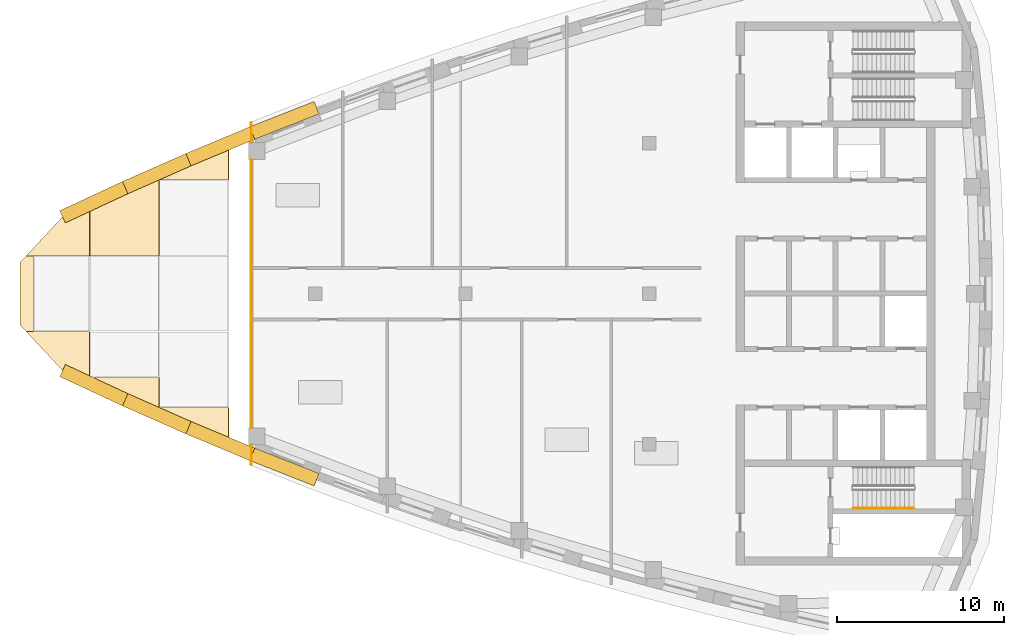
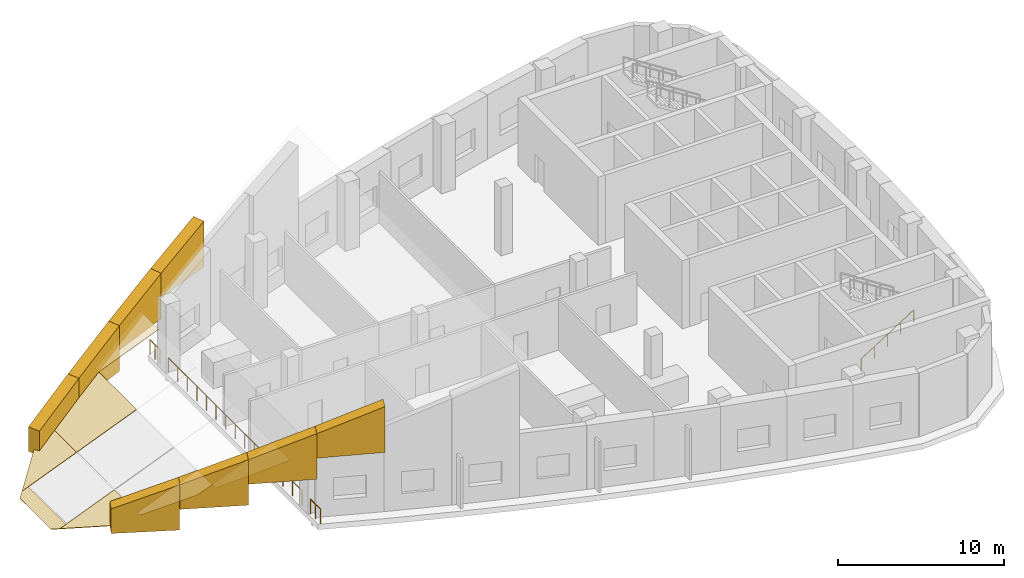
# One storey, part 6 of 8: 15 coverings, 4 railings.
"""IFC4 building model written with IfcOpenShell, lengths in metres."""

from ifc_helpers import new_model, si_unit, direction, frame, origin, origin_2d, place, context, subcontext, project, spatial, polyline, circle, outline, extrude, material, layer, layer_set, type_object, element, save


model = new_model("IFC4")

# Units and contexts
model_context = context("Model", 3, precision=1e-05, world=origin(), true_north=direction((0.0, 1.0)))
body_context = subcontext(model_context, "Body", "Model", "MODEL_VIEW")
ifc_project = project(units=[si_unit("LENGTHUNIT", "METRE"), si_unit("AREAUNIT", "SQUARE_METRE"), si_unit("VOLUMEUNIT", "CUBIC_METRE"), si_unit("PLANEANGLEUNIT", "RADIAN"), si_unit("MASSUNIT", "GRAM", prefix="KILO")], contexts=[model_context])

# Site, building, storey
site_placement = place(None, origin())
site = spatial("IfcSite", under=ifc_project, at=site_placement, CompositionType="ELEMENT")
building_placement = place(site_placement, origin())
building = spatial("IfcBuilding", under=site, at=building_placement, Name="Ostrand Prow Hotel Tower", CompositionType="ELEMENT")
storey_placement = place(building_placement, frame((0.0, 0.0, 327.39990234375)))
storey = spatial("IfcBuildingStorey", under=building, at=storey_placement, Name="C5", CompositionType="ELEMENT", Elevation=327.39990234375)

# Coverings
ifc_material_1 = material(Name="Bronze anodised aluminium cladding", Category="aluminium")
ifc_layer_1 = layer(ifc_material_1, 0.0400390625)
ifc_layer_set_1 = layer_set([ifc_layer_1], Name="Bronze anodised aluminium cladding")
covering_type_1 = type_object("IfcCoveringType", Name="Crown bronze edge capping 40 mm", PredefinedType="CLADDING", material=ifc_layer_set_1)
covering_1_placement = place(storey_placement, frame((9.883056640625, -4.601318359375, 0.392822265625), z_axis=(-0.374644285694, -2.5827367e-05, 0.927168624647), x_axis=(0.851181003063, -0.396489570944, 0.34392865562)))
element("IfcCovering", 1, at=covering_1_placement, inside=storey, type_object=covering_type_1, Name="Crown edge capping 1.4", PredefinedType="CLADDING", context=body_context, shape_type="SweptSolid", body=[
    extrude(outline(polyline([(0.0, 0.0), (1.8965268648875833, -1.3877787807814457e-17), (0.6743400185145534, 2.8298738429039867), (-3.0732742855120927, 1.211326460373939), (0.0, 0.0)])), origin(), (0.0, 0.0, -1.0), 0.0400390625),
])
covering_2_placement = place(storey_placement, frame((7.71240234375, -2.270751953125, -0.484130859375), z_axis=(-0.374549077682, 0.0, 0.927207090357), x_axis=(0.927207090357, 0.0, 0.374549077682)))
element("IfcCovering", 2, at=covering_2_placement, inside=storey, type_object=covering_type_1, Name="Crown edge capping 1.5", PredefinedType="CLADDING", context=body_context, shape_type="SweptSolid", body=[
    extrude(outline(polyline([(0.0, 0.0), (0.4602513776335057, 0.0), (0.4602513776335057, 4.54150390625), (0.0, 4.54150390625), (-0.4047149109176331, 4.138427734375), (-0.4047149109176331, 0.403076171875), (0.0, 0.0)])), origin(), (0.0, 0.0, -1.0), 0.0400390625),
])
covering_3_placement = place(storey_placement, frame((9.883056640625, 4.601318359375, 0.392822265625), z_axis=(-0.374644285694, 2.5827367e-05, 0.927168624647), x_axis=(-0.657091752621, -0.705509399193, -0.265493721749)))
element("IfcCovering", 3, at=covering_3_placement, inside=storey, type_object=covering_type_1, Name="Crown edge capping 1.6", PredefinedType="CLADDING", context=body_context, shape_type="SweptSolid", body=[
    extrude(outline(polyline([(0.0, 0.0), (3.3033810902758276, 2.7755575615628914e-17), (0.41032783980850873, 2.880026300435548), (-1.7644186626845406, 0.6954429753839081), (0.0, 0.0)])), origin(), (0.0, 0.0, -1.0), 0.0400390625),
])
covering_4_placement = place(storey_placement, frame((15.65771484375, -6.81201171875, 2.725830078125), z_axis=(-0.37456990881, -1.7491256e-05, 0.9271986751), x_axis=(-6.551698e-06, 0.999999999847, 1.621787e-05)))
element("IfcCovering", 4, at=covering_4_placement, inside=storey, type_object=covering_type_1, Name="Crown edge capping 2.4", PredefinedType="CLADDING", context=body_context, shape_type="SweptSolid", body=[
    extrude(outline(polyline([(0.0, 0.0), (1.786621093476697, -1.5133269306657641e-21), (1.7866210943740493, 4.487043915392368), (1.4587402350492058, 4.487043915392368), (0.4636230451882351, 2.182613389619216), (1.888768098370016e-09, 1.050299716486059), (0.0, 0.0)])), origin(), (0.0, 0.0, -1.0), 0.0400390625),
])
covering_5_placement = place(storey_placement, frame((13.634033203125, 6.348388671875, 1.908203125), z_axis=(-0.374562588338, 5.412891e-06, 0.927201632542), x_axis=(-0.851226733801, -0.396443466489, -0.343868616685)))
element("IfcCovering", 5, at=covering_5_placement, inside=storey, type_object=covering_type_1, Name="Crown edge capping 2.6", PredefinedType="CLADDING", context=body_context, shape_type="SweptSolid", body=[
    extrude(outline(polyline([(0.0, 0.0), (2.510111206937505, -5.551115123125783e-17), (3.7321559354249625, 2.829935218664083), (-0.38721572667560933, 4.60879446282096), (-2.1875684903850336, 0.4396494444168238), (-1.2233312387707542, 0.023264984125418803), (0.0, 0.0)])), origin(), (0.0, 0.0, -1.0), 0.0400390625),
])
covering_6_placement = place(storey_placement, frame((17.419677734375, -8.02001953125, 3.4375), z_axis=(-0.374572717272, -3.6462251e-05, 0.927197539981), x_axis=(0.864610297761, -0.361187632731, 0.349274286153)))
element("IfcCovering", 6, at=covering_6_placement, inside=storey, type_object=covering_type_1, Name="Crown edge capping 3.3", PredefinedType="CLADDING", context=body_context, shape_type="SweptSolid", body=[
    extrude(outline(polyline([(0.0, 0.0), (2.774051575115734, -2.7755575615628914e-16), (1.9758410156719717, 2.0607734571211833), (-2.2082967455641533, 0.440108688552974), (-2.052922573476227, 0.0389727151274851), (0.0, 0.0)])), origin(), (0.0, 0.0, -1.0), 0.0400390625),
])
covering_7_placement = place(storey_placement, frame((17.419677734375, 8.02001953125, 3.4375), z_axis=(-0.374572717272, 3.6462251e-05, 0.927197539981), x_axis=(-0.858098326688, -0.378821841663, -0.346642862344)))
element("IfcCovering", 7, at=covering_7_placement, inside=storey, type_object=covering_type_1, Name="Crown edge capping 3.7", PredefinedType="CLADDING", context=body_context, shape_type="SweptSolid", body=[
    extrude(outline(polyline([(0.0, 0.0), (2.0532924694774155, -1.6653345369377348e-16), (2.216252451169328, 0.3981146152742881), (-1.9363703636425635, 2.0979048537990495), (-2.773551835989439, 0.05265315262830167), (0.0, 0.0)])), origin(), (0.0, 0.0, -1.0), 0.0400390625),
])

# Railings
ifc_material_2 = material(Name="Stainless steel", Category="steel")
railing_type_1 = type_object("IfcRailingType", Name="Crown deck edge guard 1100", PredefinedType="GUARDRAIL", material=ifc_material_2)
railing_1_placement = place(storey_placement, frame((21.18701171875, -10.243896484375, 0.0)))
element("IfcRailing", 8, at=railing_1_placement, inside=storey, type_object=railing_type_1, Name="Crown deck edge guard C5-1", PredefinedType="GUARDRAIL", context=body_context, shape_type="SweptSolid", body=[
    extrude(circle(Radius=0.02392578125, at=origin_2d()), frame((0.0, 0.0, 1.076171875), z_axis=(0.0, 1.0, 0.0), x_axis=(-1.0, 0.0, 0.0)), (0.0, 0.0, 1.0), 1.203857421875),
    extrude(circle(Radius=0.02099609375, at=origin_2d()), origin(), (0.0, 0.0, 1.0), 1.052001953125),
    extrude(circle(Radius=0.02099609375, at=origin_2d()), frame((0.0, 0.60205078125, 0.0)), (0.0, 0.0, 1.0), 1.052001953125),
    extrude(circle(Radius=0.02099609375, at=origin_2d()), frame((0.0, 1.203857421875, 0.0)), (0.0, 0.0, 1.0), 1.052001953125),
])
railing_2_placement = place(storey_placement, frame((21.18701171875, -8.0400390625, 0.0)))
element("IfcRailing", 9, at=railing_2_placement, inside=storey, type_object=railing_type_1, Name="Crown deck edge guard C5-2", PredefinedType="GUARDRAIL", context=body_context, shape_type="SweptSolid", body=[
    extrude(circle(Radius=0.02392578125, at=origin_2d()), frame((0.0, 0.0, 1.076171875), z_axis=(0.0, 1.0, 0.0), x_axis=(-1.0, 0.0, 0.0)), (0.0, 0.0, 1.0), 16.080078125),
    extrude(circle(Radius=0.02099609375, at=origin_2d()), origin(), (0.0, 0.0, 1.0), 1.052001953125),
    extrude(circle(Radius=0.02099609375, at=origin_2d()), frame((0.0, 1.148681640625, 0.0)), (0.0, 0.0, 1.0), 1.052001953125),
    extrude(circle(Radius=0.02099609375, at=origin_2d()), frame((0.0, 2.297119140625, 0.0)), (0.0, 0.0, 1.0), 1.052001953125),
    extrude(circle(Radius=0.02099609375, at=origin_2d()), frame((0.0, 3.44580078125, 0.0)), (0.0, 0.0, 1.0), 1.052001953125),
    extrude(circle(Radius=0.02099609375, at=origin_2d()), frame((0.0, 4.59423828125, 0.0)), (0.0, 0.0, 1.0), 1.052001953125),
    extrude(circle(Radius=0.02099609375, at=origin_2d()), frame((0.0, 5.742919921875, 0.0)), (0.0, 0.0, 1.0), 1.052001953125),
    extrude(circle(Radius=0.02099609375, at=origin_2d()), frame((0.0, 6.891357421875, 0.0)), (0.0, 0.0, 1.0), 1.052001953125),
    extrude(circle(Radius=0.02099609375, at=origin_2d()), frame((0.0, 8.0400390625, 0.0)), (0.0, 0.0, 1.0), 1.052001953125),
    extrude(circle(Radius=0.02099609375, at=origin_2d()), frame((0.0, 9.188720703125, 0.0)), (0.0, 0.0, 1.0), 1.052001953125),
    extrude(circle(Radius=0.02099609375, at=origin_2d()), frame((0.0, 10.337158203125, 0.0)), (0.0, 0.0, 1.0), 1.052001953125),
    extrude(circle(Radius=0.02099609375, at=origin_2d()), frame((0.0, 11.48583984375, 0.0)), (0.0, 0.0, 1.0), 1.052001953125),
    extrude(circle(Radius=0.02099609375, at=origin_2d()), frame((0.0, 12.63427734375, 0.0)), (0.0, 0.0, 1.0), 1.052001953125),
    extrude(circle(Radius=0.02099609375, at=origin_2d()), frame((0.0, 13.782958984375, 0.0)), (0.0, 0.0, 1.0), 1.052001953125),
    extrude(circle(Radius=0.02099609375, at=origin_2d()), frame((0.0, 14.931396484375, 0.0)), (0.0, 0.0, 1.0), 1.052001953125),
    extrude(circle(Radius=0.02099609375, at=origin_2d()), frame((0.0, 16.080078125, 0.0)), (0.0, 0.0, 1.0), 1.052001953125),
])
railing_3_placement = place(storey_placement, frame((21.18701171875, 9.0400390625, 0.0)))
element("IfcRailing", 10, at=railing_3_placement, inside=storey, type_object=railing_type_1, Name="Crown deck edge guard C5-3", PredefinedType="GUARDRAIL", context=body_context, shape_type="SweptSolid", body=[
    extrude(circle(Radius=0.02392578125, at=origin_2d()), frame((0.0, 0.0, 1.076171875), z_axis=(0.0, 1.0, 0.0), x_axis=(-1.0, 0.0, 0.0)), (0.0, 0.0, 1.0), 1.203857421875),
    extrude(circle(Radius=0.02099609375, at=origin_2d()), origin(), (0.0, 0.0, 1.0), 1.052001953125),
    extrude(circle(Radius=0.02099609375, at=origin_2d()), frame((0.0, 0.60205078125, 0.0)), (0.0, 0.0, 1.0), 1.052001953125),
    extrude(circle(Radius=0.02099609375, at=origin_2d()), frame((0.0, 1.203857421875, 0.0)), (0.0, 0.0, 1.0), 1.052001953125),
])

# Coverings
ifc_material_3 = material(Name="Limestone cladding", Category="masonry")
ifc_layer_2 = layer(ifc_material_3, 0.800048828125)
ifc_layer_set_2 = layer_set([ifc_layer_2], Name="Limestone cladding")
covering_type_2 = type_object("IfcCoveringType", Name="Crown stone fascia 800 mm", PredefinedType="CLADDING", material=ifc_layer_set_2)
covering_8_placement = place(storey_placement, frame((9.883056640625, -4.601318359375, 0.0927734375), z_axis=(0.0, 0.0, 1.0), x_axis=(0.906496416255, -0.422213509159, 0.0)))
element("IfcCovering", 11, at=covering_8_placement, inside=storey, type_object=covering_type_2, Name="Crown stone fascia 4", PredefinedType="CLADDING", context=body_context, shape_type="SweptSolid", body=[
    extrude(outline(polyline([(0.0, 0.0), (4.137939453125, 0.0), (4.13818359375, 3.3154296875), (0.0, 1.800048828125), (0.0, 0.0)])), frame((0.0, 0.39990234375, 0.0), z_axis=(0.0, -1.0, 0.0), x_axis=(1.0, 0.0, 0.0)), (0.0, 0.0, 1.0), 0.800048828125),
])
covering_9_placement = place(storey_placement, frame((13.634033203125, -6.348388671875, 1.6083984375), z_axis=(0.0, 0.0, 1.0), x_axis=(0.91478446711, -0.403942296292, 0.0)))
element("IfcCovering", 12, at=covering_9_placement, inside=storey, type_object=covering_type_2, Name="Crown stone fascia 5", PredefinedType="CLADDING", context=body_context, shape_type="SweptSolid", body=[
    extrude(outline(polyline([(0.0, 0.0), (4.13818359375, 0.0), (4.13818359375, 3.3291015625), (0.0, 1.7998046875), (0.0, 0.0)])), frame((0.0, 0.39990234375, 0.0), z_axis=(0.0, -1.0, 0.0), x_axis=(1.0, 0.0, 0.0)), (0.0, 0.0, 1.0), 0.800048828125),
])
covering_10_placement = place(storey_placement, frame((17.419677734375, -8.02001953125, 3.1376953125), z_axis=(0.0, 0.0, 1.0), x_axis=(0.92270468555, -0.385507539829, 0.0)))
element("IfcCovering", 13, at=covering_10_placement, inside=storey, type_object=covering_type_2, Name="Crown stone fascia 6", PredefinedType="CLADDING", context=body_context, shape_type="SweptSolid", body=[
    extrude(outline(polyline([(0.0, 0.0), (4.137939453125, 0.0), (4.13818359375, 3.342529296875), (0.0, 1.7998046875), (0.0, 0.0)])), frame((0.0, 0.39990234375, 0.0), z_axis=(0.0, -1.0, 0.0), x_axis=(1.0, 0.0, 0.0)), (0.0, 0.0, 1.0), 0.800048828125),
])
covering_11_placement = place(storey_placement, frame((21.23779296875, -9.615234375, 4.68017578125), z_axis=(0.0, 0.0, 1.0), x_axis=(0.93028824306, -0.366829367452, 0.0)))
element("IfcCovering", 14, at=covering_11_placement, inside=storey, type_object=covering_type_2, Name="Crown stone fascia 7", PredefinedType="CLADDING", context=body_context, shape_type="SweptSolid", body=[
    extrude(outline(polyline([(0.0, 0.0), (4.138427734375, 0.0), (4.13818359375, 3.355224609375), (0.0, 1.800048828125), (0.0, 0.0)])), frame((0.0, 0.39990234375, 0.0), z_axis=(0.0, -1.0, 0.0), x_axis=(1.0, 0.0, 0.0)), (0.0, 0.0, 1.0), 0.800048828125),
])
covering_12_placement = place(storey_placement, frame((25.087646484375, 11.13330078125, 4.68017578125), z_axis=(0.0, 0.0, 1.0), x_axis=(-0.93028824306, -0.366829367452, 0.0)))
element("IfcCovering", 15, at=covering_12_placement, inside=storey, type_object=covering_type_2, Name="Crown stone fascia 37", PredefinedType="CLADDING", context=body_context, shape_type="SweptSolid", body=[
    extrude(outline(polyline([(0.0, 0.0), (4.138427734375, 0.0), (4.13818359375, 1.800048828125), (0.0, 3.355224609375), (0.0, 0.0)])), frame((0.0, 0.39990234375, 0.0), z_axis=(0.0, -1.0, 0.0), x_axis=(1.0, 0.0, 0.0)), (0.0, 0.0, 1.0), 0.800048828125),
])
covering_13_placement = place(storey_placement, frame((21.23779296875, 9.615234375, 3.1376953125), z_axis=(0.0, 0.0, 1.0), x_axis=(-0.92270468555, -0.385507539829, 0.0)))
element("IfcCovering", 16, at=covering_13_placement, inside=storey, type_object=covering_type_2, Name="Crown stone fascia 38", PredefinedType="CLADDING", context=body_context, shape_type="SweptSolid", body=[
    extrude(outline(polyline([(0.0, 0.0), (4.137939453125, 0.0), (4.13818359375, 1.7998046875), (0.0, 3.342529296875), (0.0, 0.0)])), frame((0.0, 0.39990234375, 0.0), z_axis=(0.0, -1.0, 0.0), x_axis=(1.0, 0.0, 0.0)), (0.0, 0.0, 1.0), 0.800048828125),
])
covering_14_placement = place(storey_placement, frame((17.419677734375, 8.02001953125, 1.6083984375), z_axis=(0.0, 0.0, 1.0), x_axis=(-0.91478446711, -0.403942296292, 0.0)))
element("IfcCovering", 17, at=covering_14_placement, inside=storey, type_object=covering_type_2, Name="Crown stone fascia 39", PredefinedType="CLADDING", context=body_context, shape_type="SweptSolid", body=[
    extrude(outline(polyline([(0.0, 0.0), (4.13818359375, 0.0), (4.13818359375, 1.7998046875), (0.0, 3.3291015625), (0.0, 0.0)])), frame((0.0, 0.39990234375, 0.0), z_axis=(0.0, -1.0, 0.0), x_axis=(1.0, 0.0, 0.0)), (0.0, 0.0, 1.0), 0.800048828125),
])
covering_15_placement = place(storey_placement, frame((13.634033203125, 6.348388671875, 0.0927734375), z_axis=(0.0, 0.0, 1.0), x_axis=(-0.906496416255, -0.422213509159, 0.0)))
element("IfcCovering", 18, at=covering_15_placement, inside=storey, type_object=covering_type_2, Name="Crown stone fascia 40", PredefinedType="CLADDING", context=body_context, shape_type="SweptSolid", body=[
    extrude(outline(polyline([(0.0, 0.0), (4.137939453125, 0.0), (4.13818359375, 1.800048828125), (0.0, 3.3154296875), (0.0, 0.0)])), frame((0.0, 0.39990234375, 0.0), z_axis=(0.0, -1.0, 0.0), x_axis=(1.0, 0.0, 0.0)), (0.0, 0.0, 1.0), 0.800048828125),
])

# Railing
ifc_material_4 = material(Name="Stainless steel", Category="steel")
railing_type_2 = type_object("IfcRailingType", Name="Stair handrail 900", PredefinedType="HANDRAIL", material=ifc_material_4)
railing_4_placement = place(storey_placement, frame((57.199951171875, -12.85009765625, 0.1787109375)))
element("IfcRailing", 19, at=railing_4_placement, inside=storey, type_object=railing_type_2, Name="C5 ST2C stair handrail 1", PredefinedType="HANDRAIL", context=body_context, shape_type="SweptSolid", body=[
    extrude(circle(Radius=0.02392578125, at=origin_2d()), frame((0.0, 0.0, 0.8759765625), z_axis=(0.843153495434, 0.0, 0.537672933239), x_axis=(0.0, 1.0, 0.0)), (0.0, 0.0, 1.0), 4.3173828125),
    extrude(circle(Radius=0.02099609375, at=origin_2d()), origin(), (0.0, 0.0, 1.0), 0.851806640625),
    extrude(circle(Radius=0.02099609375, at=origin_2d()), frame((0.91015625, 0.0, 0.580322265625)), (0.0, 0.0, 1.0), 0.851806640625),
    extrude(circle(Radius=0.02099609375, at=origin_2d()), frame((1.820068359375, 0.0, 1.16064453125)), (0.0, 0.0, 1.0), 0.851806640625),
    extrude(circle(Radius=0.02099609375, at=origin_2d()), frame((2.72998046875, 0.0, 1.740966796875)), (0.0, 0.0, 1.0), 0.851806640625),
    extrude(circle(Radius=0.02099609375, at=origin_2d()), frame((3.64013671875, 0.0, 2.3212890625)), (0.0, 0.0, 1.0), 0.851806640625),
])

save(model, "model.ifc")
